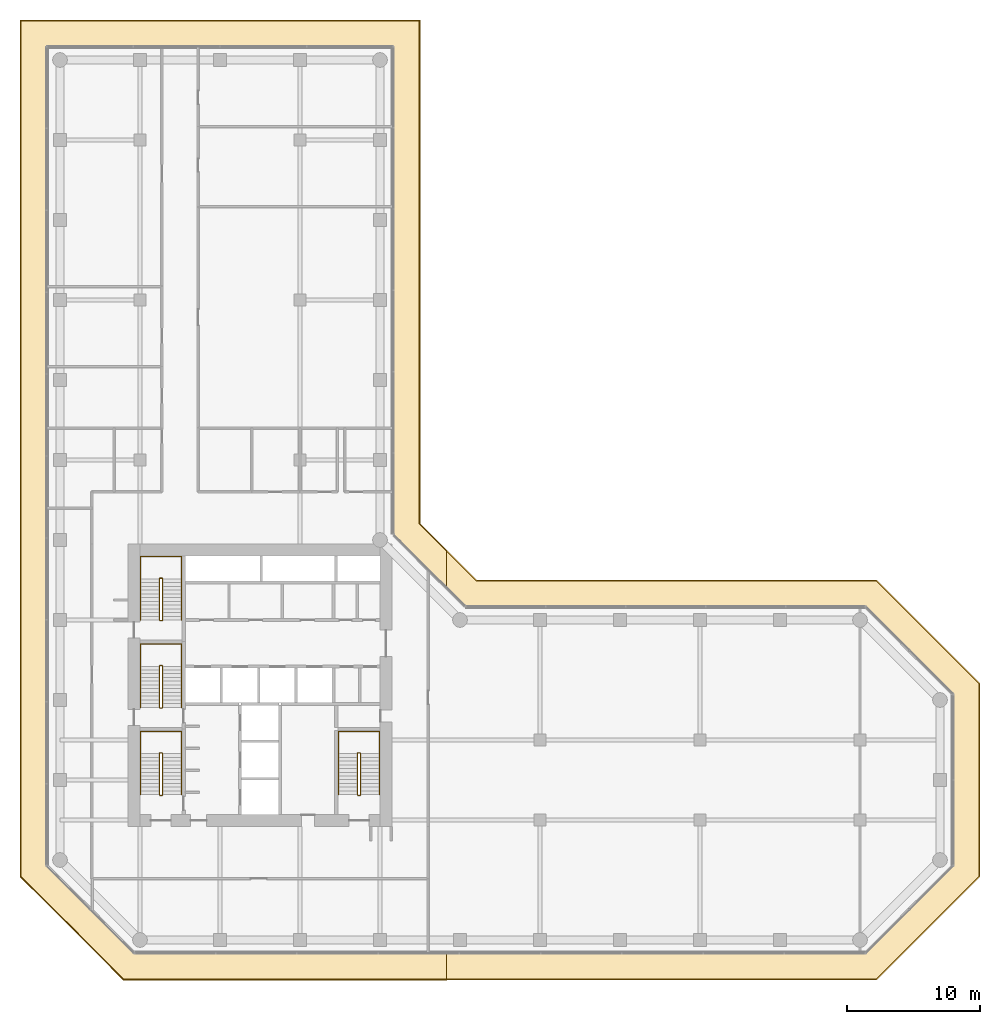
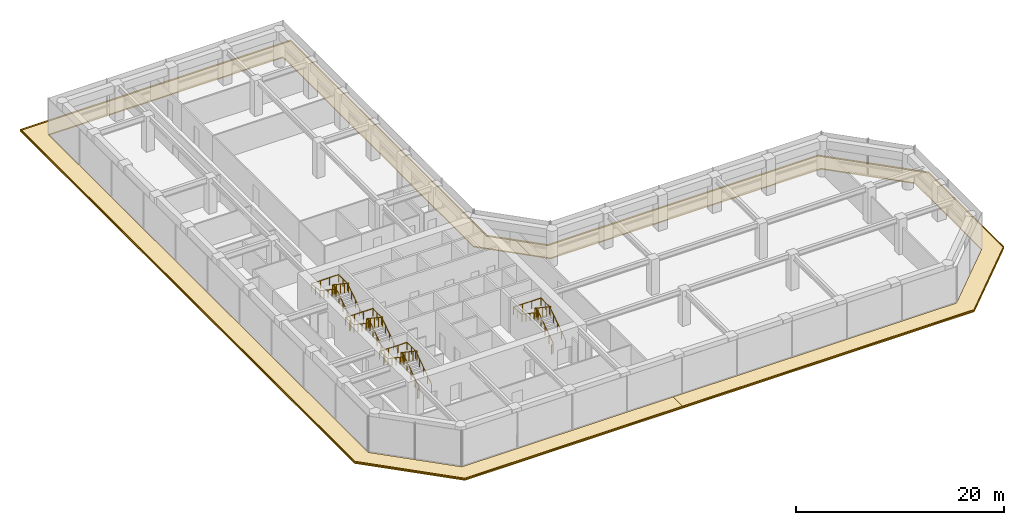
# One storey, part 24 of 24: 8 railings, 4 coverings.
"""IFC4 building model written with IfcOpenShell, lengths in metres."""

import ifcopenshell
import ifcopenshell.guid

model = None  # the IFC model being written
_history = None  # IfcOwnerHistory: only IFC2X3 demands one
_inside = {}  # id of a spatial element -> (the spatial element, [elements in it])
_under = {}  # id of a project, library or spatial element -> (it, [spatial elements below it])
_declared = {}  # id of a project -> (the project, [libraries it declares])
_typed = {}  # id of a type object -> (the type object, [elements of that type])
_made_of = {}  # id of a material, layer set ... -> (it, [elements and type objects made of it])


def new_model(schema):
    """Start an empty IFC model of exactly this schema.

    Asked for "IFC4X3", IfcOpenShell would pick the latest addendum, in which some entities
    have other attributes; the version numbers below select the first issue.
    IFC2X3 requires an IfcOwnerHistory on every rooted entity: one is made here for all.
    """
    global model, _history
    if schema == "IFC4X3":
        model = ifcopenshell.file(schema_version=(4, 3, 0, 0))
    else:
        model = ifcopenshell.file(schema=schema)
    _inside.clear()
    _under.clear()
    _declared.clear()
    _typed.clear()
    _made_of.clear()
    _history = None
    if model.schema == "IFC2X3":
        org = make("IfcOrganization", Name="unknown")
        user = make(
            "IfcPersonAndOrganization",
            ThePerson=make("IfcPerson", FamilyName="unknown"),
            TheOrganization=org,
        )
        app = make(
            "IfcApplication",
            ApplicationDeveloper=org,
            Version="unknown",
            ApplicationFullName="unknown",
            ApplicationIdentifier="unknown",
        )
        _history = make(
            "IfcOwnerHistory",
            OwningUser=user,
            OwningApplication=app,
            ChangeAction="ADDED",
            CreationDate=0,
        )
    return model


def make(cls, **values):
    """One entity of the class cls with the attributes given. An attribute that is None is left unset."""
    return model.create_entity(
        cls, **{name: value for name, value in values.items() if value is not None}
    )


def rooted(cls, **values):
    """An entity with a GlobalId (a new one), such as an element, a storey or a relation."""
    return make(cls, GlobalId=ifcopenshell.guid.new(), OwnerHistory=_history, **values)


def si_unit(unit_type, name, prefix=None):
    """IfcSIUnit, for example si_unit("LENGTHUNIT", "METRE", prefix="MILLI")."""
    return make("IfcSIUnit", UnitType=unit_type, Prefix=prefix, Name=name)


def assignment(units):
    """IfcUnitAssignment: the units of a project."""
    return None if units is None else make("IfcUnitAssignment", Units=units)


def point(xyz):
    """IfcCartesianPoint."""
    return None if xyz is None else make("IfcCartesianPoint", Coordinates=xyz)


def direction(xyz):
    """IfcDirection."""
    return None if xyz is None else make("IfcDirection", DirectionRatios=xyz)


def frame(location, z_axis=None, x_axis=None):
    """IfcAxis2Placement3D, a coordinate frame: its origin and axes. An axis left out is left unset."""
    return make(
        "IfcAxis2Placement3D",
        Location=point(location),
        Axis=direction(z_axis),
        RefDirection=direction(x_axis),
    )


def frame_2d(location, x_axis=None):
    """IfcAxis2Placement2D, a coordinate frame in the plane: its origin and x axis."""
    return make(
        "IfcAxis2Placement2D", Location=point(location), RefDirection=direction(x_axis)
    )


def origin():
    """The frame at (0, 0, 0) with its axes left unset."""
    return frame((0.0, 0.0, 0.0))


def origin_2d():
    """The frame at (0, 0) in the plane with its x axis left unset."""
    return frame_2d((0.0, 0.0))


def place(relative_to, where):
    """IfcLocalPlacement: puts the frame where relative to a parent placement (None: the world)."""
    return make(
        "IfcLocalPlacement", PlacementRelTo=relative_to, RelativePlacement=where
    )


def context(
    kind, dimensions, precision=None, world=None, true_north=None, identifier=None
):
    """IfcGeometricRepresentationContext, for example the 3D "Model" context."""
    return make(
        "IfcGeometricRepresentationContext",
        ContextIdentifier=identifier,
        ContextType=kind,
        CoordinateSpaceDimension=dimensions,
        Precision=precision,
        WorldCoordinateSystem=world,
        TrueNorth=true_north,
    )


def subcontext(parent, identifier, kind, view, scale=None):
    """IfcGeometricRepresentationSubContext, for example "Body" below "Model"."""
    return make(
        "IfcGeometricRepresentationSubContext",
        ContextIdentifier=identifier,
        ContextType=kind,
        ParentContext=parent,
        TargetScale=scale,
        TargetView=view,
    )


def project(units=None, contexts=None):
    """IfcProject with its units and contexts."""
    return rooted(
        "IfcProject",
        Name="project",
        RepresentationContexts=contexts,
        UnitsInContext=assignment(units),
    )


def spatial(cls, under=None, at=None, **own):
    """A site, building, storey or space (cls), placed at a placement, below another one or the project."""
    s = rooted(cls, ObjectPlacement=at, **own)
    if under is not None:
        _under.setdefault(under.id(), (under, []))[1].append(s)
    return s


def polyline(points):
    """IfcPolyline through the points."""
    return make("IfcPolyline", Points=[point(p) for p in points])


def profile(cls, at=None, kind="AREA", **sizes):
    """A parametric profile (cls). Its sizes go by their IFC names, for example OverallWidth=200.0."""
    return make(cls, ProfileType=kind, Position=at, **sizes)


def circle(**sizes):
    """IfcCircleProfileDef."""
    return profile("IfcCircleProfileDef", **sizes)


def outline(outer, holes=None, kind="AREA"):
    """IfcArbitraryClosedProfileDef: a profile drawn as a closed curve; with holes, ...WithVoids."""
    if holes is None:
        return make("IfcArbitraryClosedProfileDef", ProfileType=kind, OuterCurve=outer)
    return make(
        "IfcArbitraryProfileDefWithVoids",
        ProfileType=kind,
        OuterCurve=outer,
        InnerCurves=holes,
    )


def extrude(swept, where, along, depth):
    """IfcExtrudedAreaSolid: the profile swept, set in the frame where, extruded along a direction by depth."""
    return make(
        "IfcExtrudedAreaSolid",
        SweptArea=swept,
        Position=where,
        ExtrudedDirection=direction(along),
        Depth=depth,
    )


def shape(context_of_items, identifier, shape_type, items):
    """IfcShapeRepresentation: the items that make up one representation, for example the "Body"."""
    return make(
        "IfcShapeRepresentation",
        ContextOfItems=context_of_items,
        RepresentationIdentifier=identifier,
        RepresentationType=shape_type,
        Items=items,
    )


def material(Name=None, Category=None):
    """IfcMaterial."""
    return make("IfcMaterial", Name=Name, Category=Category)


def layer(
    of_material, thickness, ventilated=None, Name=None, Category=None, Priority=None
):
    """IfcMaterialLayer: one layer of a wall or slab, of a material (None: an air gap)."""
    return make(
        "IfcMaterialLayer",
        Material=of_material,
        LayerThickness=thickness,
        IsVentilated=ventilated,
        Name=Name,
        Category=Category,
        Priority=Priority,
    )


def layer_set(layers, Name=None):
    """IfcMaterialLayerSet."""
    return make("IfcMaterialLayerSet", MaterialLayers=layers, LayerSetName=Name)


def made_of(thing, what):
    """Note that an element or type object is made of a material, layer set ...; save() writes the relation."""
    if what is not None:
        _made_of.setdefault(what.id(), (what, []))[1].append(thing)
    return thing


def type_object(cls, material=None, **own):
    """A type object (cls), such as IfcWallType, which elements share."""
    return made_of(rooted(cls, **own), material)


def element(
    cls,
    number,
    at=None,
    inside=None,
    cuts=None,
    type_object=None,
    material=None,
    context=None,
    identifier="Body",
    shape_type=None,
    held_by="IfcProductDefinitionShape",
    body=None,
    shapes=None,
    **own,
):
    """One element of the class cls, such as IfcWall. Its Tag is "e" and its number.

    at: its placement. inside: the storey or other place that contains it. cuts: it is an
    opening in that element (IfcRelVoidsElement). A single representation is given by context,
    identifier, shape_type and body (its items); several are given by shapes. held_by: the class
    of the entity that holds the representations. save() writes the other relations.
    """
    e = rooted(cls, Tag="e%d" % number, ObjectPlacement=at, **own)
    if body is not None:
        shapes = [shape(context, identifier, shape_type, body)]
    if shapes is not None:
        e.Representation = make(held_by, Representations=shapes)
    if inside is not None:
        _inside.setdefault(inside.id(), (inside, []))[1].append(e)
    if cuts is not None:
        rooted(
            "IfcRelVoidsElement", RelatingBuildingElement=cuts, RelatedOpeningElement=e
        )
    if type_object is not None:
        _typed.setdefault(type_object.id(), (type_object, []))[1].append(e)
    return made_of(e, material)


def aggregate(whole, parts):
    """IfcRelAggregates: a whole, such as a stair, and the parts it consists of."""
    return rooted("IfcRelAggregates", RelatingObject=whole, RelatedObjects=parts)


def save(model, path):
    """Write the relations noted so far, then the file.

    IfcRelAggregates (storeys below a building ...), IfcRelContainedInSpatialStructure (elements
    in a storey), IfcRelDefinesByType, IfcRelAssociatesMaterial and IfcRelDeclares: one each for
    every whole, place, type object, material and project.
    """
    for whole, parts in _under.values():
        aggregate(whole, parts)
    for where, things in _inside.values():
        rooted(
            "IfcRelContainedInSpatialStructure",
            RelatedElements=things,
            RelatingStructure=where,
        )
    for kind, things in _typed.values():
        rooted("IfcRelDefinesByType", RelatedObjects=things, RelatingType=kind)
    for what, things in _made_of.values():
        rooted("IfcRelAssociatesMaterial", RelatedObjects=things, RelatingMaterial=what)
    for by, libraries in _declared.values():
        rooted("IfcRelDeclares", RelatingContext=by, RelatedDefinitions=libraries)
    model.write(path)


model = new_model("IFC4")

# Units and contexts
model_context = context("Model", 3, precision=1e-05, world=origin(), true_north=direction((0.0, 1.0)))
body_context = subcontext(model_context, "Body", "Model", "MODEL_VIEW")
ifc_project = project(units=[si_unit("LENGTHUNIT", "METRE"), si_unit("AREAUNIT", "SQUARE_METRE"), si_unit("VOLUMEUNIT", "CUBIC_METRE"), si_unit("PLANEANGLEUNIT", "RADIAN"), si_unit("MASSUNIT", "GRAM", prefix="KILO")], contexts=[model_context])

# Site, building, storey
site_placement = place(None, origin())
site = spatial("IfcSite", under=ifc_project, at=site_placement, CompositionType="ELEMENT")
building_placement = place(site_placement, origin())
building = spatial("IfcBuilding", under=site, at=building_placement, Name="Welwitschia Terrace Campus", CompositionType="ELEMENT")
storey_placement = place(building_placement, frame((0.0, 0.0, 24.5)))
storey = spatial("IfcBuildingStorey", under=building, at=storey_placement, Name="L05", CompositionType="ELEMENT", Elevation=24.5)

# Railings
ifc_material_1 = material(Name="Steel S355", Category="steel")
railing_type_1 = type_object("IfcRailingType", Name="Stair guard 1100", PredefinedType="GUARDRAIL", material=ifc_material_1)
railing_1_placement = place(storey_placement, frame((7.5, 6.85009765625, 0.0)))
element("IfcRailing", 1, at=railing_1_placement, inside=storey, type_object=railing_type_1, Name="L05 S1 stair guard", PredefinedType="GUARDRAIL", context=body_context, shape_type="SweptSolid", body=[
    extrude(circle(Radius=0.02392578125, at=origin_2d()), frame((0.0, 0.0, 1.076171875), z_axis=(1.0, 0.0, 0.0), x_axis=(0.0, 1.0, 0.0)), (0.0, 0.0, 1.0), 0.14990234375),
    extrude(circle(Radius=0.02392578125, at=origin_2d()), frame((0.14990234375, 0.0, 1.076171875), z_axis=(0.249802250048, 0.248583702486, 0.935844527007), x_axis=(-0.705375805398, 0.708833529934, 0.0)), (0.0, 0.0, 1.0), 0.200439453125),
    extrude(circle(Radius=0.02392578125, at=origin_2d()), frame((0.199951171875, 0.0498046875, 1.263671875), z_axis=(0.0, 0.830913701846, 0.55640131208), x_axis=(-1.0, 0.0, 0.0)), (0.0, 0.0, 1.0), 3.706787109375),
    extrude(circle(Radius=0.02392578125, at=origin_2d()), frame((0.199951171875, 3.1298828125, 3.326171875), z_axis=(-0.707106781187, 0.707106781187, 0.0), x_axis=(-0.707106781187, -0.707106781187, 0.0)), (0.0, 0.0, 1.0), 0.07080078125),
    extrude(circle(Radius=0.02392578125, at=origin_2d()), frame((0.14990234375, 3.179931640625, 3.326171875), z_axis=(-1.0, 0.0, 0.0), x_axis=(0.0, -1.0, 0.0)), (0.0, 0.0, 1.0), 0.14990234375),
    extrude(circle(Radius=0.02392578125, at=origin_2d()), frame((0.0, 3.179931640625, 3.326171875), z_axis=(-0.249726431254, -0.249726431254, 0.935560483917), x_axis=(0.707106781187, -0.707106781187, 0.0)), (0.0, 0.0, 1.0), 0.200439453125),
    extrude(circle(Radius=0.02392578125, at=origin_2d()), frame((-0.050048828125, 3.1298828125, 3.513671875), z_axis=(0.0, -0.830913701846, 0.55640131208), x_axis=(1.0, 0.0, 0.0)), (0.0, 0.0, 1.0), 3.706787109375),
    extrude(circle(Radius=0.02099609375, at=origin_2d()), origin(), (0.0, 0.0, 1.0), 1.052001953125),
    extrude(circle(Radius=0.02099609375, at=origin_2d()), frame((0.14990234375, 0.0, 0.0)), (0.0, 0.0, 1.0), 1.052001953125),
    extrude(circle(Radius=0.02099609375, at=origin_2d()), frame((0.199951171875, 0.0498046875, 0.1875)), (0.0, 0.0, 1.0), 1.052001953125),
    extrude(circle(Radius=0.02099609375, at=origin_2d()), frame((0.199951171875, 0.81982421875, 0.703125)), (0.0, 0.0, 1.0), 1.052001953125),
    extrude(circle(Radius=0.02099609375, at=origin_2d()), frame((0.199951171875, 1.58984375, 1.21875)), (0.0, 0.0, 1.0), 1.052001953125),
    extrude(circle(Radius=0.02099609375, at=origin_2d()), frame((0.199951171875, 2.35986328125, 1.734375)), (0.0, 0.0, 1.0), 1.052001953125),
    extrude(circle(Radius=0.02099609375, at=origin_2d()), frame((0.199951171875, 3.1298828125, 2.25)), (0.0, 0.0, 1.0), 1.052001953125),
    extrude(circle(Radius=0.02099609375, at=origin_2d()), frame((0.14990234375, 3.179931640625, 2.25)), (0.0, 0.0, 1.0), 1.052001953125),
    extrude(circle(Radius=0.02099609375, at=origin_2d()), frame((0.0, 3.179931640625, 2.25)), (0.0, 0.0, 1.0), 1.052001953125),
    extrude(circle(Radius=0.02099609375, at=origin_2d()), frame((-0.050048828125, 3.1298828125, 2.4375)), (0.0, 0.0, 1.0), 1.052001953125),
    extrude(circle(Radius=0.02099609375, at=origin_2d()), frame((-0.050048828125, 2.35986328125, 2.953125)), (0.0, 0.0, 1.0), 1.052001953125),
    extrude(circle(Radius=0.02099609375, at=origin_2d()), frame((-0.050048828125, 1.58984375, 3.46875)), (0.0, 0.0, 1.0), 1.052001953125),
    extrude(circle(Radius=0.02099609375, at=origin_2d()), frame((-0.050048828125, 0.81982421875, 3.984375)), (0.0, 0.0, 1.0), 1.052001953125),
    extrude(circle(Radius=0.02099609375, at=origin_2d()), frame((-0.050048828125, 0.0498046875, 4.5)), (0.0, 0.0, 1.0), 1.052001953125),
])
railing_2_placement = place(storey_placement, frame((7.5, 13.39990234375, 0.0)))
element("IfcRailing", 2, at=railing_2_placement, inside=storey, type_object=railing_type_1, Name="L05 S3 stair guard", PredefinedType="GUARDRAIL", context=body_context, shape_type="SweptSolid", body=[
    extrude(circle(Radius=0.02392578125, at=origin_2d()), frame((0.0, 0.0, 1.076171875), z_axis=(1.0, 0.0, 0.0), x_axis=(0.0, 1.0, 0.0)), (0.0, 0.0, 1.0), 0.14990234375),
    extrude(circle(Radius=0.02392578125, at=origin_2d()), frame((0.14990234375, 0.0, 1.076171875), z_axis=(0.249726431254, 0.249726431254, 0.935560483917), x_axis=(-0.707106781187, 0.707106781187, 0.0)), (0.0, 0.0, 1.0), 0.200439453125),
    extrude(circle(Radius=0.02392578125, at=origin_2d()), frame((0.199951171875, 0.050048828125, 1.263671875), z_axis=(0.0, 0.830913701846, 0.55640131208), x_axis=(-1.0, 0.0, 0.0)), (0.0, 0.0, 1.0), 3.706787109375),
    extrude(circle(Radius=0.02392578125, at=origin_2d()), frame((0.199951171875, 3.130126953125, 3.326171875), z_axis=(-0.707106781187, 0.707106781187, 0.0), x_axis=(-0.707106781187, -0.707106781187, 0.0)), (0.0, 0.0, 1.0), 0.07080078125),
    extrude(circle(Radius=0.02392578125, at=origin_2d()), frame((0.14990234375, 3.18017578125, 3.326171875), z_axis=(-1.0, 0.0, 0.0), x_axis=(0.0, -1.0, 0.0)), (0.0, 0.0, 1.0), 0.14990234375),
    extrude(circle(Radius=0.02392578125, at=origin_2d()), frame((0.0, 3.18017578125, 3.326171875), z_axis=(-0.249726431254, -0.249726431254, 0.935560483917), x_axis=(0.707106781187, -0.707106781187, 0.0)), (0.0, 0.0, 1.0), 0.200439453125),
    extrude(circle(Radius=0.02392578125, at=origin_2d()), frame((-0.050048828125, 3.130126953125, 3.513671875), z_axis=(0.0, -0.830913701846, 0.55640131208), x_axis=(1.0, 0.0, 0.0)), (0.0, 0.0, 1.0), 3.706787109375),
    extrude(circle(Radius=0.02099609375, at=origin_2d()), origin(), (0.0, 0.0, 1.0), 1.052001953125),
    extrude(circle(Radius=0.02099609375, at=origin_2d()), frame((0.14990234375, 0.0, 0.0)), (0.0, 0.0, 1.0), 1.052001953125),
    extrude(circle(Radius=0.02099609375, at=origin_2d()), frame((0.199951171875, 0.050048828125, 0.1875)), (0.0, 0.0, 1.0), 1.052001953125),
    extrude(circle(Radius=0.02099609375, at=origin_2d()), frame((0.199951171875, 0.820068359375, 0.703125)), (0.0, 0.0, 1.0), 1.052001953125),
    extrude(circle(Radius=0.02099609375, at=origin_2d()), frame((0.199951171875, 1.590087890625, 1.21875)), (0.0, 0.0, 1.0), 1.052001953125),
    extrude(circle(Radius=0.02099609375, at=origin_2d()), frame((0.199951171875, 2.360107421875, 1.734375)), (0.0, 0.0, 1.0), 1.052001953125),
    extrude(circle(Radius=0.02099609375, at=origin_2d()), frame((0.199951171875, 3.130126953125, 2.25)), (0.0, 0.0, 1.0), 1.052001953125),
    extrude(circle(Radius=0.02099609375, at=origin_2d()), frame((0.14990234375, 3.18017578125, 2.25)), (0.0, 0.0, 1.0), 1.052001953125),
    extrude(circle(Radius=0.02099609375, at=origin_2d()), frame((0.0, 3.18017578125, 2.25)), (0.0, 0.0, 1.0), 1.052001953125),
    extrude(circle(Radius=0.02099609375, at=origin_2d()), frame((-0.050048828125, 3.130126953125, 2.4375)), (0.0, 0.0, 1.0), 1.052001953125),
    extrude(circle(Radius=0.02099609375, at=origin_2d()), frame((-0.050048828125, 2.360107421875, 2.953125)), (0.0, 0.0, 1.0), 1.052001953125),
    extrude(circle(Radius=0.02099609375, at=origin_2d()), frame((-0.050048828125, 1.590087890625, 3.46875)), (0.0, 0.0, 1.0), 1.052001953125),
    extrude(circle(Radius=0.02099609375, at=origin_2d()), frame((-0.050048828125, 0.820068359375, 3.984375)), (0.0, 0.0, 1.0), 1.052001953125),
    extrude(circle(Radius=0.02099609375, at=origin_2d()), frame((-0.050048828125, 0.050048828125, 4.5)), (0.0, 0.0, 1.0), 1.052001953125),
])
railing_3_placement = place(storey_placement, frame((7.5, 19.949951171875, 0.0)))
element("IfcRailing", 3, at=railing_3_placement, inside=storey, type_object=railing_type_1, Name="L05 S4 stair guard", PredefinedType="GUARDRAIL", context=body_context, shape_type="SweptSolid", body=[
    extrude(circle(Radius=0.02392578125, at=origin_2d()), frame((0.0, 0.0, 1.076171875), z_axis=(1.0, 0.0, 0.0), x_axis=(0.0, 1.0, 0.0)), (0.0, 0.0, 1.0), 0.14990234375),
    extrude(circle(Radius=0.02392578125, at=origin_2d()), frame((0.14990234375, 0.0, 1.076171875), z_axis=(0.249726431254, 0.249726431254, 0.935560483917), x_axis=(-0.707106781187, 0.707106781187, 0.0)), (0.0, 0.0, 1.0), 0.200439453125),
    extrude(circle(Radius=0.02392578125, at=origin_2d()), frame((0.199951171875, 0.050048828125, 1.263671875), z_axis=(0.0, 0.830913701846, 0.55640131208), x_axis=(-1.0, 0.0, 0.0)), (0.0, 0.0, 1.0), 3.706787109375),
    extrude(circle(Radius=0.02392578125, at=origin_2d()), frame((0.199951171875, 3.130126953125, 3.326171875), z_axis=(-0.708833529934, 0.705375805398, 0.0), x_axis=(-0.705375805398, -0.708833529934, 0.0)), (0.0, 0.0, 1.0), 0.070556640625),
    extrude(circle(Radius=0.02392578125, at=origin_2d()), frame((0.14990234375, 3.179931640625, 3.326171875), z_axis=(-1.0, 0.0, 0.0), x_axis=(0.0, -1.0, 0.0)), (0.0, 0.0, 1.0), 0.14990234375),
    extrude(circle(Radius=0.02392578125, at=origin_2d()), frame((0.0, 3.179931640625, 3.326171875), z_axis=(-0.249802250048, -0.248583702486, 0.935844527007), x_axis=(0.705375805398, -0.708833529934, 0.0)), (0.0, 0.0, 1.0), 0.200439453125),
    extrude(circle(Radius=0.02392578125, at=origin_2d()), frame((-0.050048828125, 3.130126953125, 3.513671875), z_axis=(0.0, -0.830913701846, 0.55640131208), x_axis=(1.0, 0.0, 0.0)), (0.0, 0.0, 1.0), 3.706787109375),
    extrude(circle(Radius=0.02099609375, at=origin_2d()), origin(), (0.0, 0.0, 1.0), 1.052001953125),
    extrude(circle(Radius=0.02099609375, at=origin_2d()), frame((0.14990234375, 0.0, 0.0)), (0.0, 0.0, 1.0), 1.052001953125),
    extrude(circle(Radius=0.02099609375, at=origin_2d()), frame((0.199951171875, 0.050048828125, 0.1875)), (0.0, 0.0, 1.0), 1.052001953125),
    extrude(circle(Radius=0.02099609375, at=origin_2d()), frame((0.199951171875, 0.820068359375, 0.703125)), (0.0, 0.0, 1.0), 1.052001953125),
    extrude(circle(Radius=0.02099609375, at=origin_2d()), frame((0.199951171875, 1.590087890625, 1.21875)), (0.0, 0.0, 1.0), 1.052001953125),
    extrude(circle(Radius=0.02099609375, at=origin_2d()), frame((0.199951171875, 2.360107421875, 1.734375)), (0.0, 0.0, 1.0), 1.052001953125),
    extrude(circle(Radius=0.02099609375, at=origin_2d()), frame((0.199951171875, 3.130126953125, 2.25)), (0.0, 0.0, 1.0), 1.052001953125),
    extrude(circle(Radius=0.02099609375, at=origin_2d()), frame((0.14990234375, 3.179931640625, 2.25)), (0.0, 0.0, 1.0), 1.052001953125),
    extrude(circle(Radius=0.02099609375, at=origin_2d()), frame((0.0, 3.179931640625, 2.25)), (0.0, 0.0, 1.0), 1.052001953125),
    extrude(circle(Radius=0.02099609375, at=origin_2d()), frame((-0.050048828125, 3.130126953125, 2.4375)), (0.0, 0.0, 1.0), 1.052001953125),
    extrude(circle(Radius=0.02099609375, at=origin_2d()), frame((-0.050048828125, 2.360107421875, 2.953125)), (0.0, 0.0, 1.0), 1.052001953125),
    extrude(circle(Radius=0.02099609375, at=origin_2d()), frame((-0.050048828125, 1.590087890625, 3.46875)), (0.0, 0.0, 1.0), 1.052001953125),
    extrude(circle(Radius=0.02099609375, at=origin_2d()), frame((-0.050048828125, 0.820068359375, 3.984375)), (0.0, 0.0, 1.0), 1.052001953125),
    extrude(circle(Radius=0.02099609375, at=origin_2d()), frame((-0.050048828125, 0.050048828125, 4.5)), (0.0, 0.0, 1.0), 1.052001953125),
])
railing_4_placement = place(storey_placement, frame((22.35009765625, 6.85009765625, 0.0)))
element("IfcRailing", 4, at=railing_4_placement, inside=storey, type_object=railing_type_1, Name="L05 S2 stair guard", PredefinedType="GUARDRAIL", context=body_context, shape_type="SweptSolid", body=[
    extrude(circle(Radius=0.02392578125, at=origin_2d()), frame((0.0, 0.0, 1.076171875), z_axis=(1.0, 0.0, 0.0), x_axis=(0.0, 1.0, 0.0)), (0.0, 0.0, 1.0), 0.14990234375),
    extrude(circle(Radius=0.02392578125, at=origin_2d()), frame((0.14990234375, 0.0, 1.076171875), z_axis=(0.249802250048, 0.248583702486, 0.935844527007), x_axis=(-0.705375805398, 0.708833529934, 0.0)), (0.0, 0.0, 1.0), 0.200439453125),
    extrude(circle(Radius=0.02392578125, at=origin_2d()), frame((0.199951171875, 0.0498046875, 1.263671875), z_axis=(0.0, 0.830913701846, 0.55640131208), x_axis=(-1.0, 0.0, 0.0)), (0.0, 0.0, 1.0), 3.706787109375),
    extrude(circle(Radius=0.02392578125, at=origin_2d()), frame((0.199951171875, 3.1298828125, 3.326171875), z_axis=(-0.707106781187, 0.707106781187, 0.0), x_axis=(-0.707106781187, -0.707106781187, 0.0)), (0.0, 0.0, 1.0), 0.07080078125),
    extrude(circle(Radius=0.02392578125, at=origin_2d()), frame((0.14990234375, 3.179931640625, 3.326171875), z_axis=(-1.0, 0.0, 0.0), x_axis=(0.0, -1.0, 0.0)), (0.0, 0.0, 1.0), 0.14990234375),
    extrude(circle(Radius=0.02392578125, at=origin_2d()), frame((0.0, 3.179931640625, 3.326171875), z_axis=(-0.249726431254, -0.249726431254, 0.935560483917), x_axis=(0.707106781187, -0.707106781187, 0.0)), (0.0, 0.0, 1.0), 0.200439453125),
    extrude(circle(Radius=0.02392578125, at=origin_2d()), frame((-0.050048828125, 3.1298828125, 3.513671875), z_axis=(0.0, -0.830913701846, 0.55640131208), x_axis=(1.0, 0.0, 0.0)), (0.0, 0.0, 1.0), 3.706787109375),
    extrude(circle(Radius=0.02099609375, at=origin_2d()), origin(), (0.0, 0.0, 1.0), 1.052001953125),
    extrude(circle(Radius=0.02099609375, at=origin_2d()), frame((0.14990234375, 0.0, 0.0)), (0.0, 0.0, 1.0), 1.052001953125),
    extrude(circle(Radius=0.02099609375, at=origin_2d()), frame((0.199951171875, 0.0498046875, 0.1875)), (0.0, 0.0, 1.0), 1.052001953125),
    extrude(circle(Radius=0.02099609375, at=origin_2d()), frame((0.199951171875, 0.81982421875, 0.703125)), (0.0, 0.0, 1.0), 1.052001953125),
    extrude(circle(Radius=0.02099609375, at=origin_2d()), frame((0.199951171875, 1.58984375, 1.21875)), (0.0, 0.0, 1.0), 1.052001953125),
    extrude(circle(Radius=0.02099609375, at=origin_2d()), frame((0.199951171875, 2.35986328125, 1.734375)), (0.0, 0.0, 1.0), 1.052001953125),
    extrude(circle(Radius=0.02099609375, at=origin_2d()), frame((0.199951171875, 3.1298828125, 2.25)), (0.0, 0.0, 1.0), 1.052001953125),
    extrude(circle(Radius=0.02099609375, at=origin_2d()), frame((0.14990234375, 3.179931640625, 2.25)), (0.0, 0.0, 1.0), 1.052001953125),
    extrude(circle(Radius=0.02099609375, at=origin_2d()), frame((0.0, 3.179931640625, 2.25)), (0.0, 0.0, 1.0), 1.052001953125),
    extrude(circle(Radius=0.02099609375, at=origin_2d()), frame((-0.050048828125, 3.1298828125, 2.4375)), (0.0, 0.0, 1.0), 1.052001953125),
    extrude(circle(Radius=0.02099609375, at=origin_2d()), frame((-0.050048828125, 2.35986328125, 2.953125)), (0.0, 0.0, 1.0), 1.052001953125),
    extrude(circle(Radius=0.02099609375, at=origin_2d()), frame((-0.050048828125, 1.58984375, 3.46875)), (0.0, 0.0, 1.0), 1.052001953125),
    extrude(circle(Radius=0.02099609375, at=origin_2d()), frame((-0.050048828125, 0.81982421875, 3.984375)), (0.0, 0.0, 1.0), 1.052001953125),
    extrude(circle(Radius=0.02099609375, at=origin_2d()), frame((-0.050048828125, 0.0498046875, 4.5)), (0.0, 0.0, 1.0), 1.052001953125),
])
ifc_material_2 = material(Name="Steel S355", Category="steel")
railing_type_2 = type_object("IfcRailingType", Name="Stair handrail 900", PredefinedType="HANDRAIL", material=ifc_material_2)
railing_5_placement = place(storey_placement, frame((9.10009765625, 6.89990234375, 0.1875)))
element("IfcRailing", 5, at=railing_5_placement, inside=storey, type_object=railing_type_2, Name="L05 S1 stair handrail", PredefinedType="HANDRAIL", context=body_context, shape_type="SweptSolid", body=[
    extrude(circle(Radius=0.02392578125, at=origin_2d()), frame((0.0, 0.0, 0.8759765625), z_axis=(0.0, 0.830913701846, 0.55640131208), x_axis=(-1.0, 0.0, 0.0)), (0.0, 0.0, 1.0), 3.706787109375),
    extrude(circle(Radius=0.02392578125, at=origin_2d()), frame((0.0, 3.080078125, 2.9384765625), z_axis=(0.0, 1.0, 0.0), x_axis=(-1.0, 0.0, 0.0)), (0.0, 0.0, 1.0), 1.669921875),
    extrude(circle(Radius=0.02392578125, at=origin_2d()), frame((0.0, 4.75, 2.9384765625), z_axis=(-1.0, 0.0, 0.0), x_axis=(0.0, -1.0, 0.0)), (0.0, 0.0, 1.0), 3.050048828125),
    extrude(circle(Radius=0.02392578125, at=origin_2d()), frame((-3.050048828125, 4.75, 2.9384765625), z_axis=(0.0, -0.993755503435, 0.111579565298), x_axis=(1.0, 0.0, 0.0)), (0.0, 0.0, 1.0), 1.680419921875),
    extrude(circle(Radius=0.02392578125, at=origin_2d()), frame((-3.050048828125, 3.080078125, 3.1259765625), z_axis=(0.0, -0.830913701846, 0.55640131208), x_axis=(1.0, 0.0, 0.0)), (0.0, 0.0, 1.0), 3.706787109375),
    extrude(circle(Radius=0.02099609375, at=origin_2d()), origin(), (0.0, 0.0, 1.0), 0.851806640625),
    extrude(circle(Radius=0.02099609375, at=origin_2d()), frame((0.0, 0.77001953125, 0.515625)), (0.0, 0.0, 1.0), 0.851806640625),
    extrude(circle(Radius=0.02099609375, at=origin_2d()), frame((0.0, 1.5400390625, 1.03125)), (0.0, 0.0, 1.0), 0.851806640625),
    extrude(circle(Radius=0.02099609375, at=origin_2d()), frame((0.0, 2.31005859375, 1.546875)), (0.0, 0.0, 1.0), 0.851806640625),
    extrude(circle(Radius=0.02099609375, at=origin_2d()), frame((0.0, 3.080078125, 2.0625)), (0.0, 0.0, 1.0), 0.851806640625),
    extrude(circle(Radius=0.02099609375, at=origin_2d()), frame((0.0, 3.9150390625, 2.0625)), (0.0, 0.0, 1.0), 0.851806640625),
    extrude(circle(Radius=0.02099609375, at=origin_2d()), frame((0.0, 4.75, 2.0625)), (0.0, 0.0, 1.0), 0.851806640625),
    extrude(circle(Radius=0.02099609375, at=origin_2d()), frame((-1.0166015625, 4.75, 2.0625)), (0.0, 0.0, 1.0), 0.851806640625),
    extrude(circle(Radius=0.02099609375, at=origin_2d()), frame((-2.033447265625, 4.75, 2.0625)), (0.0, 0.0, 1.0), 0.851806640625),
    extrude(circle(Radius=0.02099609375, at=origin_2d()), frame((-3.050048828125, 4.75, 2.0625)), (0.0, 0.0, 1.0), 0.851806640625),
    extrude(circle(Radius=0.02099609375, at=origin_2d()), frame((-3.050048828125, 3.9150390625, 2.15625)), (0.0, 0.0, 1.0), 0.851806640625),
    extrude(circle(Radius=0.02099609375, at=origin_2d()), frame((-3.050048828125, 3.080078125, 2.25)), (0.0, 0.0, 1.0), 0.851806640625),
    extrude(circle(Radius=0.02099609375, at=origin_2d()), frame((-3.050048828125, 2.31005859375, 2.765625)), (0.0, 0.0, 1.0), 0.851806640625),
    extrude(circle(Radius=0.02099609375, at=origin_2d()), frame((-3.050048828125, 1.5400390625, 3.28125)), (0.0, 0.0, 1.0), 0.851806640625),
    extrude(circle(Radius=0.02099609375, at=origin_2d()), frame((-3.050048828125, 0.77001953125, 3.796875)), (0.0, 0.0, 1.0), 0.851806640625),
    extrude(circle(Radius=0.02099609375, at=origin_2d()), frame((-3.050048828125, 0.0, 4.3125)), (0.0, 0.0, 1.0), 0.851806640625),
])
railing_6_placement = place(storey_placement, frame((9.10009765625, 13.449951171875, 0.1875)))
element("IfcRailing", 6, at=railing_6_placement, inside=storey, type_object=railing_type_2, Name="L05 S3 stair handrail", PredefinedType="HANDRAIL", context=body_context, shape_type="SweptSolid", body=[
    extrude(circle(Radius=0.02392578125, at=origin_2d()), frame((0.0, 0.0, 0.8759765625), z_axis=(0.0, 0.830913701846, 0.55640131208), x_axis=(-1.0, 0.0, 0.0)), (0.0, 0.0, 1.0), 3.706787109375),
    extrude(circle(Radius=0.02392578125, at=origin_2d()), frame((0.0, 3.080078125, 2.9384765625), z_axis=(0.0, 1.0, 0.0), x_axis=(-1.0, 0.0, 0.0)), (0.0, 0.0, 1.0), 1.669921875),
    extrude(circle(Radius=0.02392578125, at=origin_2d()), frame((0.0, 4.75, 2.9384765625), z_axis=(-1.0, 0.0, 0.0), x_axis=(0.0, -1.0, 0.0)), (0.0, 0.0, 1.0), 3.050048828125),
    extrude(circle(Radius=0.02392578125, at=origin_2d()), frame((-3.050048828125, 4.75, 2.9384765625), z_axis=(0.0, -0.993755503435, 0.111579565298), x_axis=(1.0, 0.0, 0.0)), (0.0, 0.0, 1.0), 1.680419921875),
    extrude(circle(Radius=0.02392578125, at=origin_2d()), frame((-3.050048828125, 3.080078125, 3.1259765625), z_axis=(0.0, -0.830913701846, 0.55640131208), x_axis=(1.0, 0.0, 0.0)), (0.0, 0.0, 1.0), 3.706787109375),
    extrude(circle(Radius=0.02099609375, at=origin_2d()), origin(), (0.0, 0.0, 1.0), 0.851806640625),
    extrude(circle(Radius=0.02099609375, at=origin_2d()), frame((0.0, 0.77001953125, 0.515625)), (0.0, 0.0, 1.0), 0.851806640625),
    extrude(circle(Radius=0.02099609375, at=origin_2d()), frame((0.0, 1.5400390625, 1.03125)), (0.0, 0.0, 1.0), 0.851806640625),
    extrude(circle(Radius=0.02099609375, at=origin_2d()), frame((0.0, 2.31005859375, 1.546875)), (0.0, 0.0, 1.0), 0.851806640625),
    extrude(circle(Radius=0.02099609375, at=origin_2d()), frame((0.0, 3.080078125, 2.0625)), (0.0, 0.0, 1.0), 0.851806640625),
    extrude(circle(Radius=0.02099609375, at=origin_2d()), frame((0.0, 3.9150390625, 2.0625)), (0.0, 0.0, 1.0), 0.851806640625),
    extrude(circle(Radius=0.02099609375, at=origin_2d()), frame((0.0, 4.75, 2.0625)), (0.0, 0.0, 1.0), 0.851806640625),
    extrude(circle(Radius=0.02099609375, at=origin_2d()), frame((-1.0166015625, 4.75, 2.0625)), (0.0, 0.0, 1.0), 0.851806640625),
    extrude(circle(Radius=0.02099609375, at=origin_2d()), frame((-2.033447265625, 4.75, 2.0625)), (0.0, 0.0, 1.0), 0.851806640625),
    extrude(circle(Radius=0.02099609375, at=origin_2d()), frame((-3.050048828125, 4.75, 2.0625)), (0.0, 0.0, 1.0), 0.851806640625),
    extrude(circle(Radius=0.02099609375, at=origin_2d()), frame((-3.050048828125, 3.9150390625, 2.15625)), (0.0, 0.0, 1.0), 0.851806640625),
    extrude(circle(Radius=0.02099609375, at=origin_2d()), frame((-3.050048828125, 3.080078125, 2.25)), (0.0, 0.0, 1.0), 0.851806640625),
    extrude(circle(Radius=0.02099609375, at=origin_2d()), frame((-3.050048828125, 2.31005859375, 2.765625)), (0.0, 0.0, 1.0), 0.851806640625),
    extrude(circle(Radius=0.02099609375, at=origin_2d()), frame((-3.050048828125, 1.5400390625, 3.28125)), (0.0, 0.0, 1.0), 0.851806640625),
    extrude(circle(Radius=0.02099609375, at=origin_2d()), frame((-3.050048828125, 0.77001953125, 3.796875)), (0.0, 0.0, 1.0), 0.851806640625),
    extrude(circle(Radius=0.02099609375, at=origin_2d()), frame((-3.050048828125, 0.0, 4.3125)), (0.0, 0.0, 1.0), 0.851806640625),
])
railing_7_placement = place(storey_placement, frame((9.10009765625, 20.0, 0.1875)))
element("IfcRailing", 7, at=railing_7_placement, inside=storey, type_object=railing_type_2, Name="L05 S4 stair handrail", PredefinedType="HANDRAIL", context=body_context, shape_type="SweptSolid", body=[
    extrude(circle(Radius=0.02392578125, at=origin_2d()), frame((0.0, 0.0, 0.8759765625), z_axis=(0.0, 0.830913701846, 0.55640131208), x_axis=(-1.0, 0.0, 0.0)), (0.0, 0.0, 1.0), 3.706787109375),
    extrude(circle(Radius=0.02392578125, at=origin_2d()), frame((0.0, 3.080078125, 2.9384765625), z_axis=(0.0, 1.0, 0.0), x_axis=(-1.0, 0.0, 0.0)), (0.0, 0.0, 1.0), 1.669921875),
    extrude(circle(Radius=0.02392578125, at=origin_2d()), frame((0.0, 4.75, 2.9384765625), z_axis=(-1.0, 0.0, 0.0), x_axis=(0.0, -1.0, 0.0)), (0.0, 0.0, 1.0), 3.050048828125),
    extrude(circle(Radius=0.02392578125, at=origin_2d()), frame((-3.050048828125, 4.75, 2.9384765625), z_axis=(0.0, -0.993755503435, 0.111579565298), x_axis=(1.0, 0.0, 0.0)), (0.0, 0.0, 1.0), 1.680419921875),
    extrude(circle(Radius=0.02392578125, at=origin_2d()), frame((-3.050048828125, 3.080078125, 3.1259765625), z_axis=(0.0, -0.830913701846, 0.55640131208), x_axis=(1.0, 0.0, 0.0)), (0.0, 0.0, 1.0), 3.706787109375),
    extrude(circle(Radius=0.02099609375, at=origin_2d()), origin(), (0.0, 0.0, 1.0), 0.851806640625),
    extrude(circle(Radius=0.02099609375, at=origin_2d()), frame((0.0, 0.77001953125, 0.515625)), (0.0, 0.0, 1.0), 0.851806640625),
    extrude(circle(Radius=0.02099609375, at=origin_2d()), frame((0.0, 1.5400390625, 1.03125)), (0.0, 0.0, 1.0), 0.851806640625),
    extrude(circle(Radius=0.02099609375, at=origin_2d()), frame((0.0, 2.31005859375, 1.546875)), (0.0, 0.0, 1.0), 0.851806640625),
    extrude(circle(Radius=0.02099609375, at=origin_2d()), frame((0.0, 3.080078125, 2.0625)), (0.0, 0.0, 1.0), 0.851806640625),
    extrude(circle(Radius=0.02099609375, at=origin_2d()), frame((0.0, 3.9150390625, 2.0625)), (0.0, 0.0, 1.0), 0.851806640625),
    extrude(circle(Radius=0.02099609375, at=origin_2d()), frame((0.0, 4.75, 2.0625)), (0.0, 0.0, 1.0), 0.851806640625),
    extrude(circle(Radius=0.02099609375, at=origin_2d()), frame((-1.0166015625, 4.75, 2.0625)), (0.0, 0.0, 1.0), 0.851806640625),
    extrude(circle(Radius=0.02099609375, at=origin_2d()), frame((-2.033447265625, 4.75, 2.0625)), (0.0, 0.0, 1.0), 0.851806640625),
    extrude(circle(Radius=0.02099609375, at=origin_2d()), frame((-3.050048828125, 4.75, 2.0625)), (0.0, 0.0, 1.0), 0.851806640625),
    extrude(circle(Radius=0.02099609375, at=origin_2d()), frame((-3.050048828125, 3.9150390625, 2.15625)), (0.0, 0.0, 1.0), 0.851806640625),
    extrude(circle(Radius=0.02099609375, at=origin_2d()), frame((-3.050048828125, 3.080078125, 2.25)), (0.0, 0.0, 1.0), 0.851806640625),
    extrude(circle(Radius=0.02099609375, at=origin_2d()), frame((-3.050048828125, 2.31005859375, 2.765625)), (0.0, 0.0, 1.0), 0.851806640625),
    extrude(circle(Radius=0.02099609375, at=origin_2d()), frame((-3.050048828125, 1.5400390625, 3.28125)), (0.0, 0.0, 1.0), 0.851806640625),
    extrude(circle(Radius=0.02099609375, at=origin_2d()), frame((-3.050048828125, 0.77001953125, 3.796875)), (0.0, 0.0, 1.0), 0.851806640625),
    extrude(circle(Radius=0.02099609375, at=origin_2d()), frame((-3.050048828125, 0.0, 4.3125)), (0.0, 0.0, 1.0), 0.851806640625),
])
railing_8_placement = place(storey_placement, frame((23.949951171875, 6.89990234375, 0.1875)))
element("IfcRailing", 8, at=railing_8_placement, inside=storey, type_object=railing_type_2, Name="L05 S2 stair handrail", PredefinedType="HANDRAIL", context=body_context, shape_type="SweptSolid", body=[
    extrude(circle(Radius=0.02392578125, at=origin_2d()), frame((0.0, 0.0, 0.8759765625), z_axis=(0.0, 0.830913701846, 0.55640131208), x_axis=(-1.0, 0.0, 0.0)), (0.0, 0.0, 1.0), 3.706787109375),
    extrude(circle(Radius=0.02392578125, at=origin_2d()), frame((0.0, 3.080078125, 2.9384765625), z_axis=(0.0, 1.0, 0.0), x_axis=(-1.0, 0.0, 0.0)), (0.0, 0.0, 1.0), 1.669921875),
    extrude(circle(Radius=0.02392578125, at=origin_2d()), frame((0.0, 4.75, 2.9384765625), z_axis=(-1.0, 0.0, 0.0), x_axis=(0.0, -1.0, 0.0)), (0.0, 0.0, 1.0), 3.050048828125),
    extrude(circle(Radius=0.02392578125, at=origin_2d()), frame((-3.050048828125, 4.75, 2.9384765625), z_axis=(0.0, -0.993755503435, 0.111579565298), x_axis=(1.0, 0.0, 0.0)), (0.0, 0.0, 1.0), 1.680419921875),
    extrude(circle(Radius=0.02392578125, at=origin_2d()), frame((-3.050048828125, 3.080078125, 3.1259765625), z_axis=(0.0, -0.830913701846, 0.55640131208), x_axis=(1.0, 0.0, 0.0)), (0.0, 0.0, 1.0), 3.706787109375),
    extrude(circle(Radius=0.02099609375, at=origin_2d()), origin(), (0.0, 0.0, 1.0), 0.851806640625),
    extrude(circle(Radius=0.02099609375, at=origin_2d()), frame((0.0, 0.77001953125, 0.515625)), (0.0, 0.0, 1.0), 0.851806640625),
    extrude(circle(Radius=0.02099609375, at=origin_2d()), frame((0.0, 1.5400390625, 1.03125)), (0.0, 0.0, 1.0), 0.851806640625),
    extrude(circle(Radius=0.02099609375, at=origin_2d()), frame((0.0, 2.31005859375, 1.546875)), (0.0, 0.0, 1.0), 0.851806640625),
    extrude(circle(Radius=0.02099609375, at=origin_2d()), frame((0.0, 3.080078125, 2.0625)), (0.0, 0.0, 1.0), 0.851806640625),
    extrude(circle(Radius=0.02099609375, at=origin_2d()), frame((0.0, 3.9150390625, 2.0625)), (0.0, 0.0, 1.0), 0.851806640625),
    extrude(circle(Radius=0.02099609375, at=origin_2d()), frame((0.0, 4.75, 2.0625)), (0.0, 0.0, 1.0), 0.851806640625),
    extrude(circle(Radius=0.02099609375, at=origin_2d()), frame((-1.0166015625, 4.75, 2.0625)), (0.0, 0.0, 1.0), 0.851806640625),
    extrude(circle(Radius=0.02099609375, at=origin_2d()), frame((-2.033447265625, 4.75, 2.0625)), (0.0, 0.0, 1.0), 0.851806640625),
    extrude(circle(Radius=0.02099609375, at=origin_2d()), frame((-3.050048828125, 4.75, 2.0625)), (0.0, 0.0, 1.0), 0.851806640625),
    extrude(circle(Radius=0.02099609375, at=origin_2d()), frame((-3.050048828125, 3.9150390625, 2.15625)), (0.0, 0.0, 1.0), 0.851806640625),
    extrude(circle(Radius=0.02099609375, at=origin_2d()), frame((-3.050048828125, 3.080078125, 2.25)), (0.0, 0.0, 1.0), 0.851806640625),
    extrude(circle(Radius=0.02099609375, at=origin_2d()), frame((-3.050048828125, 2.31005859375, 2.765625)), (0.0, 0.0, 1.0), 0.851806640625),
    extrude(circle(Radius=0.02099609375, at=origin_2d()), frame((-3.050048828125, 1.5400390625, 3.28125)), (0.0, 0.0, 1.0), 0.851806640625),
    extrude(circle(Radius=0.02099609375, at=origin_2d()), frame((-3.050048828125, 0.77001953125, 3.796875)), (0.0, 0.0, 1.0), 0.851806640625),
    extrude(circle(Radius=0.02099609375, at=origin_2d()), frame((-3.050048828125, 0.0, 4.3125)), (0.0, 0.0, 1.0), 0.851806640625),
])

# Coverings
ifc_material_3 = material(Name="Bronze anodised aluminium", Category="aluminium")
ifc_layer_1 = layer(ifc_material_3, 0.1201171875)
ifc_layer_set_1 = layer_set([ifc_layer_1], Name="Bronze anodised aluminium")
covering_type_1 = type_object("IfcCoveringType", Name="Sunshade band 2000", PredefinedType="USERDEFINED", material=ifc_layer_set_1)
covering_1_placement = place(storey_placement, frame((0.0, 0.0, -0.25)))
element("IfcCovering", 9, at=covering_1_placement, inside=storey, type_object=covering_type_1, Name="SUNSHADE L05.SW0", ObjectType="SUNSHADE", PredefinedType="USERDEFINED", context=body_context, shape_type="SweptSolid", body=[
    extrude(outline(polyline([(27.0, 65.0), (27.0, 27.24267578125), (29.0, 25.24267578125), (29.0, 22.414306640625), (25.0, 26.414306640625), (25.0, 63.0), (-1.0, 63.0), (-1.0, 1.585693359375), (5.585693359375, -5.0), (29.0, -5.0), (29.0, -7.0), (4.75732421875, -7.0), (-3.0, 0.75732421875), (-3.0, 65.0), (27.0, 65.0)])), origin(), (0.0, 0.0, 1.0), 0.1201171875),
])
covering_2_placement = place(storey_placement, frame((0.0, 0.0, -0.25)))
element("IfcCovering", 10, at=covering_2_placement, inside=storey, type_object=covering_type_1, Name="SUNSHADE L05.SE0", ObjectType="SUNSHADE", PredefinedType="USERDEFINED", context=body_context, shape_type="SweptSolid", body=[
    extrude(outline(polyline([(31.24267578125, 23.0), (61.24267578125, 23.0), (69.0, 15.24267578125), (69.0, 0.75732421875), (61.24267578125, -7.0), (29.0, -7.0), (29.0, -5.0), (60.414306640625, -5.0), (67.0, 1.585693359375), (67.0, 14.414306640625), (60.414306640625, 21.0), (30.414306640625, 21.0), (29.0, 22.414306640625), (29.0, 25.24267578125), (31.24267578125, 23.0)])), origin(), (0.0, 0.0, 1.0), 0.1201171875),
])
ifc_material_4 = material(Name="Bronze anodised aluminium", Category="aluminium")
ifc_layer_2 = layer(ifc_material_4, 0.06005859375)
ifc_layer_set_2 = layer_set([ifc_layer_2], Name="Bronze anodised aluminium")
covering_type_2 = type_object("IfcCoveringType", Name="Sunshade lip 60", PredefinedType="USERDEFINED", material=ifc_layer_set_2)
covering_3_placement = place(storey_placement, frame((0.0, 0.0, -0.1298828125)))
element("IfcCovering", 11, at=covering_3_placement, inside=storey, type_object=covering_type_2, Name="SUNSHADE LIP L05.SW0.0", ObjectType="SUNSHADE", PredefinedType="USERDEFINED", context=body_context, shape_type="SweptSolid", body=[
    extrude(outline(polyline([(27.0, 27.24267578125), (29.0, 25.24267578125), (29.0, 25.15771484375), (26.93994140625, 27.2177734375), (26.93994140625, 64.93994140625), (-2.93994140625, 64.93994140625), (-2.93994140625, 0.7822265625), (4.7822265625, -6.93994140625), (29.0, -6.93994140625), (29.0, -7.0), (4.75732421875, -7.0), (-3.0, 0.75732421875), (-3.0, 65.0), (27.0, 65.0), (27.0, 27.24267578125)])), origin(), (0.0, 0.0, 1.0), 0.1298828125),
])
covering_4_placement = place(storey_placement, frame((0.0, 0.0, -0.1298828125)))
element("IfcCovering", 12, at=covering_4_placement, inside=storey, type_object=covering_type_2, Name="SUNSHADE LIP L05.SE0.0", ObjectType="SUNSHADE", PredefinedType="USERDEFINED", context=body_context, shape_type="SweptSolid", body=[
    extrude(outline(polyline([(61.24267578125, 23.0), (69.0, 15.24267578125), (69.0, 0.75732421875), (61.24267578125, -7.0), (29.0, -7.0), (29.0, -6.93994140625), (61.2177734375, -6.93994140625), (68.93994140625, 0.7822265625), (68.93994140625, 15.2177734375), (61.2177734375, 22.93994140625), (31.2177734375, 22.93994140625), (29.0, 25.15771484375), (29.0, 25.24267578125), (31.24267578125, 23.0), (61.24267578125, 23.0)])), origin(), (0.0, 0.0, 1.0), 0.1298828125),
])

save(model, "model.ifc")
